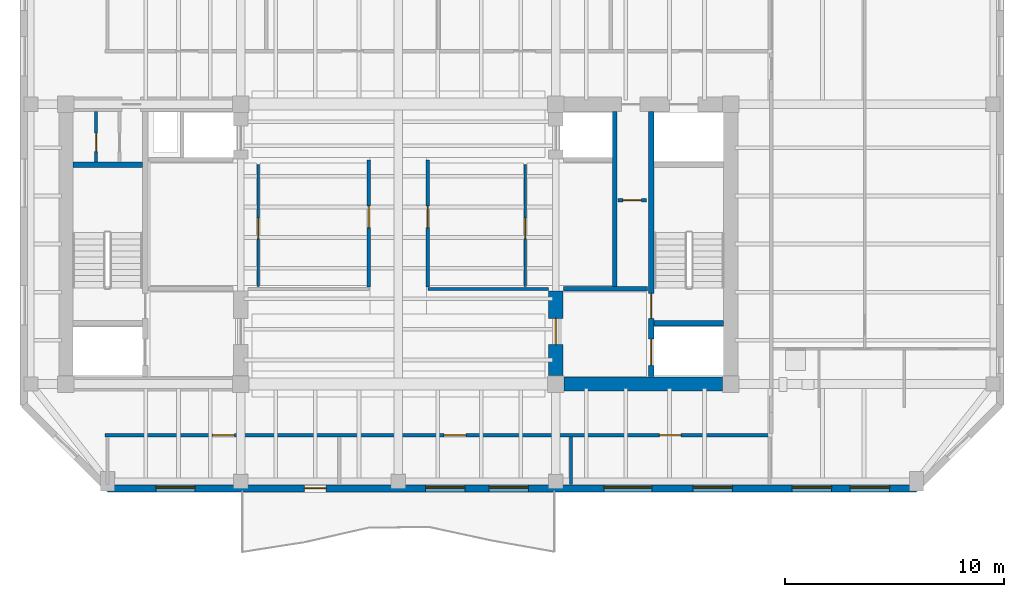
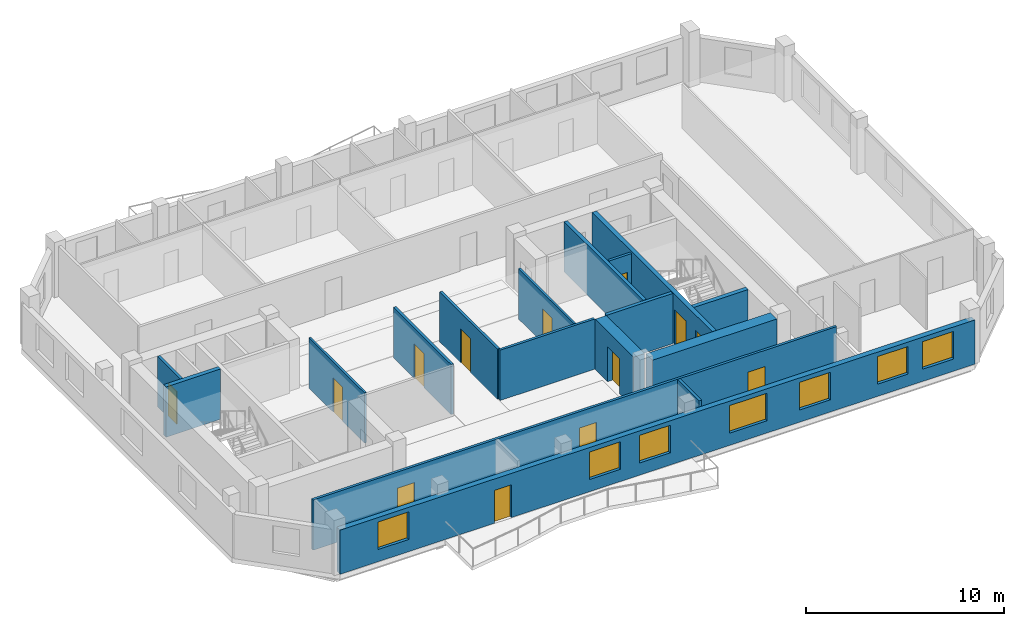
# One storey, part 3 of 9: 17 walls, 13 doors, 7 windows, 20 openings.
"""IFC4 building model written with IfcOpenShell, lengths in metres."""

from ifc_helpers import new_model, si_unit, direction, frame, frame_2d, origin, place, context, subcontext, project, spatial, rectangle, extrude, material, layer, layer_set, type_object, element, fill, save


model = new_model("IFC4")

# Units and contexts
model_context = context("Model", 3, precision=1e-05, world=origin(), true_north=direction((0.0, 1.0)))
body_context = subcontext(model_context, "Body", "Model", "MODEL_VIEW")
ifc_project = project(units=[si_unit("LENGTHUNIT", "METRE"), si_unit("AREAUNIT", "SQUARE_METRE"), si_unit("VOLUMEUNIT", "CUBIC_METRE"), si_unit("PLANEANGLEUNIT", "RADIAN"), si_unit("MASSUNIT", "GRAM", prefix="KILO")], contexts=[model_context])

# Site, building, storey
site_placement = place(None, origin())
site = spatial("IfcSite", under=ifc_project, at=site_placement, CompositionType="ELEMENT")
building_placement = place(site_placement, origin())
building = spatial("IfcBuilding", under=site, at=building_placement, Name="Kranthara Brick Stack", CompositionType="ELEMENT")
storey_placement = place(building_placement, frame((0.0, 0.0, 258.5)))
storey = spatial("IfcBuildingStorey", under=building, at=storey_placement, Name="L68", CompositionType="ELEMENT", Elevation=258.5)

# Wall, openings, door, windows
ifc_material_1 = material(Name="Warm buff clay brick masonry M15", Category="masonry")
ifc_layer_1 = layer(ifc_material_1, 0.320068359375)
ifc_layer_set_1 = layer_set([ifc_layer_1], Name="Warm buff clay brick masonry M15")
wall_type_1 = type_object("IfcWallType", Name="WL-BRK-UPPR-320", PredefinedType="STANDARD", material=ifc_layer_set_1)
wall_1_placement = place(storey_placement, frame((51.699951171875, 16.030029296875, 0.0), z_axis=(0.0, 0.0, 1.0), x_axis=(-1.0, 0.0, 0.0)))
wall_1 = element("IfcWall", 1, at=wall_1_placement, inside=storey, type_object=wall_type_1, Name="L68 Exterior Brick Facade Wall SOUTH 1", PredefinedType="STANDARD", context=body_context, shape_type="SweptSolid", body=[
    extrude(rectangle(XDim=37.0, YDim=0.320068359375, at=frame_2d((18.5, 0.0))), origin(), (0.0, 0.0, 1.0), 2.72509765625),
])
opening_1_placement = place(wall_1_placement, frame((27.0, 0.0, 0.0)))
opening_1 = element("IfcOpeningElement", 2, at=opening_1_placement, cuts=wall_1, Name="Opening D03", PredefinedType="OPENING", context=body_context, shape_type="SweptSolid", body=[
    extrude(rectangle(XDim=1.0, YDim=2.02001953125, at=frame_2d((0.5, 1.010009765625))), frame((0.0, 0.169921875, 0.0), z_axis=(0.0, -1.0, 0.0), x_axis=(1.0, 0.0, 0.0)), (0.0, 0.0, 1.0), 0.340087890625),
])
opening_2_placement = place(wall_1_placement, frame((1.235107421875, 0.0, 0.75)))
opening_2 = element("IfcOpeningElement", 3, at=opening_2_placement, cuts=wall_1, Name="Opening WN07", PredefinedType="OPENING", context=body_context, shape_type="SweptSolid", body=[
    extrude(rectangle(XDim=1.800048828125, YDim=1.699951171875, at=frame_2d((0.89990234375, 0.85009765625))), frame((0.0, 0.169921875, 0.0), z_axis=(0.0, -1.0, 0.0), x_axis=(1.0, 0.0, 0.0)), (0.0, 0.0, 1.0), 0.340087890625),
])
opening_3_placement = place(wall_1_placement, frame((3.885009765625, 0.0, 0.75)))
opening_3 = element("IfcOpeningElement", 4, at=opening_3_placement, cuts=wall_1, Name="Opening WN07", PredefinedType="OPENING", context=body_context, shape_type="SweptSolid", body=[
    extrude(rectangle(XDim=1.800048828125, YDim=1.699951171875, at=frame_2d((0.89990234375, 0.85009765625))), frame((0.0, 0.169921875, 0.0), z_axis=(0.0, -1.0, 0.0), x_axis=(1.0, 0.0, 0.0)), (0.0, 0.0, 1.0), 0.340087890625),
])
opening_4_placement = place(wall_1_placement, frame((8.422119140625, 0.0, 0.75)))
opening_4 = element("IfcOpeningElement", 5, at=opening_4_placement, cuts=wall_1, Name="Opening WN07", PredefinedType="OPENING", context=body_context, shape_type="SweptSolid", body=[
    extrude(rectangle(XDim=1.800048828125, YDim=1.699951171875, at=frame_2d((0.89990234375, 0.85009765625))), frame((0.0, 0.169921875, 0.0), z_axis=(0.0, -1.0, 0.0), x_axis=(1.0, 0.0, 0.0)), (0.0, 0.0, 1.0), 0.340087890625),
])
opening_5_placement = place(wall_1_placement, frame((12.10205078125, 0.0, 0.75)))
opening_5 = element("IfcOpeningElement", 6, at=opening_5_placement, cuts=wall_1, Name="Opening WN08", PredefinedType="OPENING", context=body_context, shape_type="SweptSolid", body=[
    extrude(rectangle(XDim=2.199951171875, YDim=1.699951171875, at=frame_2d((1.10009765625, 0.85009765625))), frame((0.0, 0.169921875, 0.0), z_axis=(0.0, -1.0, 0.0), x_axis=(1.0, 0.0, 0.0)), (0.0, 0.0, 1.0), 0.340087890625),
])
opening_6_placement = place(wall_1_placement, frame((17.748046875, 0.0, 0.75)))
opening_6 = element("IfcOpeningElement", 7, at=opening_6_placement, cuts=wall_1, Name="Opening WN07", PredefinedType="OPENING", context=body_context, shape_type="SweptSolid", body=[
    extrude(rectangle(XDim=1.800048828125, YDim=1.699951171875, at=frame_2d((0.89990234375, 0.85009765625))), frame((0.0, 0.169921875, 0.0), z_axis=(0.0, -1.0, 0.0), x_axis=(1.0, 0.0, 0.0)), (0.0, 0.0, 1.0), 0.340087890625),
])
opening_7_placement = place(wall_1_placement, frame((20.652099609375, 0.0, 0.75)))
opening_7 = element("IfcOpeningElement", 8, at=opening_7_placement, cuts=wall_1, Name="Opening WN07", PredefinedType="OPENING", context=body_context, shape_type="SweptSolid", body=[
    extrude(rectangle(XDim=1.800048828125, YDim=1.699951171875, at=frame_2d((0.89990234375, 0.85009765625))), frame((0.0, 0.169921875, 0.0), z_axis=(0.0, -1.0, 0.0), x_axis=(1.0, 0.0, 0.0)), (0.0, 0.0, 1.0), 0.340087890625),
])
opening_8_placement = place(wall_1_placement, frame((32.988037109375, 0.0, 0.75)))
opening_8 = element("IfcOpeningElement", 9, at=opening_8_placement, cuts=wall_1, Name="Opening WN07", PredefinedType="OPENING", context=body_context, shape_type="SweptSolid", body=[
    extrude(rectangle(XDim=1.800048828125, YDim=1.699951171875, at=frame_2d((0.89990234375, 0.85009765625))), frame((0.0, 0.169921875, 0.0), z_axis=(0.0, -1.0, 0.0), x_axis=(1.0, 0.0, 0.0)), (0.0, 0.0, 1.0), 0.340087890625),
])
ifc_material_2 = material(Name="Bronze anodised aluminium and laminated glass", Category="aluminium")
door_type_1 = type_object("IfcDoorType", Name="DR-BALC-1000", OperationType="NOTDEFINED", PredefinedType="DOOR", material=ifc_material_2)
door_1_placement = place(opening_1_placement, origin())
door_1 = element("IfcDoor", 10, at=door_1_placement, inside=storey, type_object=door_type_1, Name="L68 South Balcony Terrace Door", OperationType="SINGLE_SWING_LEFT", OverallHeight=2.02001953125, OverallWidth=1.0, PredefinedType="DOOR", context=body_context, shape_type="SweptSolid", body=[
    extrude(rectangle(XDim=1.0, YDim=2.02001953125, at=frame_2d((0.5, 1.010009765625))), frame((0.0, 0.02490234375, 0.0), z_axis=(0.0, -1.0, 0.0), x_axis=(1.0, 0.0, 0.0)), (0.0, 0.0, 1.0), 0.050048828125),
])
fill(opening_1, door_1)
ifc_material_3 = material(Name="Double-glazed low-E solar control glass", Category="glass")
window_type_1 = type_object("IfcWindowType", Name="WN-RES-1800x1850", PartitioningType="DOUBLE_PANEL_VERTICAL", PredefinedType="WINDOW", material=ifc_material_3)
window_1_placement = place(opening_2_placement, origin())
window_1 = element("IfcWindow", 11, at=window_1_placement, inside=storey, type_object=window_type_1, Name="L68 South Deep-Set Brick Window 01", OverallHeight=1.699951171875, OverallWidth=1.800048828125, PartitioningType="SINGLE_PANEL", PredefinedType="WINDOW", context=body_context, shape_type="SweptSolid", body=[
    extrude(rectangle(XDim=1.800048828125, YDim=1.699951171875, at=frame_2d((0.89990234375, 0.85009765625))), frame((0.0, -0.010009765625, 0.0), z_axis=(0.0, -1.0, 0.0), x_axis=(1.0, 0.0, 0.0)), (0.0, 0.0, 1.0), 0.06005859375),
])
fill(opening_2, window_1)
window_2_placement = place(opening_3_placement, origin())
window_2 = element("IfcWindow", 12, at=window_2_placement, inside=storey, type_object=window_type_1, Name="L68 South Deep-Set Brick Window 02", OverallHeight=1.699951171875, OverallWidth=1.800048828125, PartitioningType="SINGLE_PANEL", PredefinedType="WINDOW", context=body_context, shape_type="SweptSolid", body=[
    extrude(rectangle(XDim=1.800048828125, YDim=1.699951171875, at=frame_2d((0.89990234375, 0.85009765625))), frame((0.0, -0.010009765625, 0.0), z_axis=(0.0, -1.0, 0.0), x_axis=(1.0, 0.0, 0.0)), (0.0, 0.0, 1.0), 0.06005859375),
])
fill(opening_3, window_2)
window_3_placement = place(opening_4_placement, origin())
window_3 = element("IfcWindow", 13, at=window_3_placement, inside=storey, type_object=window_type_1, Name="L68 South Deep-Set Brick Window 03", OverallHeight=1.699951171875, OverallWidth=1.800048828125, PartitioningType="SINGLE_PANEL", PredefinedType="WINDOW", context=body_context, shape_type="SweptSolid", body=[
    extrude(rectangle(XDim=1.800048828125, YDim=1.699951171875, at=frame_2d((0.89990234375, 0.85009765625))), frame((0.0, -0.010009765625, 0.0), z_axis=(0.0, -1.0, 0.0), x_axis=(1.0, 0.0, 0.0)), (0.0, 0.0, 1.0), 0.06005859375),
])
fill(opening_4, window_3)
window_4_placement = place(opening_6_placement, origin())
window_4 = element("IfcWindow", 14, at=window_4_placement, inside=storey, type_object=window_type_1, Name="L68 South Deep-Set Brick Window 05", OverallHeight=1.699951171875, OverallWidth=1.800048828125, PartitioningType="SINGLE_PANEL", PredefinedType="WINDOW", context=body_context, shape_type="SweptSolid", body=[
    extrude(rectangle(XDim=1.800048828125, YDim=1.699951171875, at=frame_2d((0.89990234375, 0.85009765625))), frame((0.0, -0.010009765625, 0.0), z_axis=(0.0, -1.0, 0.0), x_axis=(1.0, 0.0, 0.0)), (0.0, 0.0, 1.0), 0.06005859375),
])
fill(opening_6, window_4)
window_5_placement = place(opening_7_placement, origin())
window_5 = element("IfcWindow", 15, at=window_5_placement, inside=storey, type_object=window_type_1, Name="L68 South Deep-Set Brick Window 06", OverallHeight=1.699951171875, OverallWidth=1.800048828125, PartitioningType="SINGLE_PANEL", PredefinedType="WINDOW", context=body_context, shape_type="SweptSolid", body=[
    extrude(rectangle(XDim=1.800048828125, YDim=1.699951171875, at=frame_2d((0.89990234375, 0.85009765625))), frame((0.0, -0.010009765625, 0.0), z_axis=(0.0, -1.0, 0.0), x_axis=(1.0, 0.0, 0.0)), (0.0, 0.0, 1.0), 0.06005859375),
])
fill(opening_7, window_5)
window_6_placement = place(opening_8_placement, origin())
window_6 = element("IfcWindow", 16, at=window_6_placement, inside=storey, type_object=window_type_1, Name="L68 South Deep-Set Brick Window 07", OverallHeight=1.699951171875, OverallWidth=1.800048828125, PartitioningType="SINGLE_PANEL", PredefinedType="WINDOW", context=body_context, shape_type="SweptSolid", body=[
    extrude(rectangle(XDim=1.800048828125, YDim=1.699951171875, at=frame_2d((0.89990234375, 0.85009765625))), frame((0.0, -0.010009765625, 0.0), z_axis=(0.0, -1.0, 0.0), x_axis=(1.0, 0.0, 0.0)), (0.0, 0.0, 1.0), 0.06005859375),
])
fill(opening_8, window_6)
ifc_material_4 = material(Name="Double-glazed low-E solar control glass", Category="glass")
window_type_2 = type_object("IfcWindowType", Name="WN-RES-2200x1850", PartitioningType="TRIPLE_PANEL_VERTICAL", PredefinedType="WINDOW", material=ifc_material_4)
window_7_placement = place(opening_5_placement, origin())
window_7 = element("IfcWindow", 17, at=window_7_placement, inside=storey, type_object=window_type_2, Name="L68 South Deep-Set Brick Window 04", OverallHeight=1.699951171875, OverallWidth=2.199951171875, PartitioningType="SINGLE_PANEL", PredefinedType="WINDOW", context=body_context, shape_type="SweptSolid", body=[
    extrude(rectangle(XDim=2.199951171875, YDim=1.699951171875, at=frame_2d((1.10009765625, 0.85009765625))), frame((0.0, -0.010009765625, 0.0), z_axis=(0.0, -1.0, 0.0), x_axis=(1.0, 0.0, 0.0)), (0.0, 0.0, 1.0), 0.06005859375),
])
fill(opening_5, window_7)

# Wall
ifc_material_5 = material(Name="Concrete C50/60", Category="concrete")
ifc_layer_2 = layer(ifc_material_5, 0.25)
ifc_layer_set_2 = layer_set([ifc_layer_2], Name="Concrete C50/60")
wall_type_2 = type_object("IfcWallType", Name="WL-CORE-250", PredefinedType="SHEAR", material=ifc_layer_set_2)
wall_2_placement = place(storey_placement, frame((13.135009765625, 30.830078125, 0.0), z_axis=(0.0, 0.0, 1.0), x_axis=(1.0, 0.0, 0.0)))
element("IfcWall", 18, at=wall_2_placement, inside=storey, type_object=wall_type_2, Name="L68 West Stairwell Bearing Wall WST", PredefinedType="SHEAR", context=body_context, shape_type="SweptSolid", body=[
    extrude(rectangle(XDim=3.175048828125, YDim=0.25, at=frame_2d((1.58740234375, 0.0))), origin(), (0.0, 0.0, 1.0), 3.10009765625),
])

# Wall, openings, doors
wall_3_placement = place(storey_placement, frame((39.56494140625, 21.135009765625, 0.0), z_axis=(0.0, 0.0, 1.0), x_axis=(0.0, 1.0, 0.0)))
wall_3 = element("IfcWall", 19, at=wall_3_placement, inside=storey, type_object=wall_type_2, Name="L68 East Core Stair Bearing Spine Wall", PredefinedType="SHEAR", context=body_context, shape_type="SweptSolid", body=[
    extrude(rectangle(XDim=12.1298828125, YDim=0.25, at=frame_2d((6.06494140625, 0.0))), origin(), (0.0, 0.0, 1.0), 3.10009765625),
])
opening_9_placement = place(wall_3_placement, frame((0.514892578125, 0.0, 0.0)))
opening_9 = element("IfcOpeningElement", 20, at=opening_9_placement, cuts=wall_3, Name="Opening LD01", PredefinedType="OPENING", context=body_context, shape_type="SweptSolid", body=[
    extrude(rectangle(XDim=1.199951171875, YDim=2.14990234375, at=frame_2d((0.60009765625, 1.074951171875))), frame((0.0, 0.135009765625, 0.0), z_axis=(0.0, -1.0, 0.0), x_axis=(1.0, 0.0, 0.0)), (0.0, 0.0, 1.0), 0.27001953125),
])
opening_10_placement = place(wall_3_placement, frame((2.6650390625, 0.0, 0.0)))
opening_10 = element("IfcOpeningElement", 21, at=opening_10_placement, cuts=wall_3, Name="Opening D05", PredefinedType="OPENING", context=body_context, shape_type="SweptSolid", body=[
    extrude(rectangle(XDim=1.14990234375, YDim=2.14990234375, at=frame_2d((0.574951171875, 1.074951171875))), frame((0.0, 0.135009765625, 0.0), z_axis=(0.0, -1.0, 0.0), x_axis=(1.0, 0.0, 0.0)), (0.0, 0.0, 1.0), 0.27001953125),
])
ifc_material_6 = material(Name="Stainless steel sliding landing door", Category="steel")
door_type_2 = type_object("IfcDoorType", Name="DR-LD-FF1200", OperationType="DOUBLE_DOOR_SLIDING", PredefinedType="DOOR", material=ifc_material_6)
door_2_placement = place(opening_9_placement, origin())
door_2 = element("IfcDoor", 22, at=door_2_placement, inside=storey, type_object=door_type_2, Name="L68 Firefighting Lift FF-02 Landing Door", OperationType="DOUBLE_DOOR_SLIDING", OverallHeight=2.14990234375, OverallWidth=1.199951171875, PredefinedType="DOOR", context=body_context, shape_type="SweptSolid", body=[
    extrude(rectangle(XDim=1.199951171875, YDim=2.14990234375, at=frame_2d((0.60009765625, 1.074951171875))), frame((0.0, 0.02490234375, 0.0), z_axis=(0.0, -1.0, 0.0), x_axis=(1.0, 0.0, 0.0)), (0.0, 0.0, 1.0), 0.050048828125),
])
fill(opening_9, door_2)
ifc_material_7 = material(Name="Solid-core hardwood timber leaf in steel frame", Category="steel")
door_type_3 = type_object("IfcDoorType", Name="DR-ST-1150", OperationType="NOTDEFINED", PredefinedType="DOOR", material=ifc_material_7)
door_3_placement = place(opening_10_placement, origin())
door_3 = element("IfcDoor", 23, at=door_3_placement, inside=storey, type_object=door_type_3, Name="L68 Exit Stair ST02 Door", OperationType="SINGLE_SWING_LEFT", OverallHeight=2.14990234375, OverallWidth=1.14990234375, PredefinedType="DOOR", context=body_context, shape_type="SweptSolid", body=[
    extrude(rectangle(XDim=1.14990234375, YDim=2.14990234375, at=frame_2d((0.574951171875, 1.074951171875))), frame((0.0, 0.02490234375, 0.0), z_axis=(0.0, -1.0, 0.0), x_axis=(1.0, 0.0, 0.0)), (0.0, 0.0, 1.0), 0.050048828125),
])
fill(opening_10, door_3)

# Walls
wall_4_placement = place(storey_placement, frame((39.68994140625, 23.570068359375, 0.0), z_axis=(0.0, 0.0, 1.0), x_axis=(1.0, 0.0, 0.0)))
element("IfcWall", 24, at=wall_4_placement, inside=storey, type_object=wall_type_2, Name="L68 East Stairwell Bearing Wall EFF", PredefinedType="SHEAR", context=body_context, shape_type="SweptSolid", body=[
    extrude(rectangle(XDim=3.175048828125, YDim=0.25, at=frame_2d((1.58740234375, 0.0))), origin(), (0.0, 0.0, 1.0), 3.10009765625),
])
ifc_material_8 = material(Name="Concrete C60/75", Category="concrete")
ifc_layer_3 = layer(ifc_material_8, 0.64990234375)
ifc_layer_set_3 = layer_set([ifc_layer_3], Name="Concrete C60/75")
wall_type_3 = type_object("IfcWallType", Name="WL-CORE-650", PredefinedType="SHEAR", material=ifc_layer_set_3)
wall_5_placement = place(storey_placement, frame((35.580078125, 20.800048828125, 0.0), z_axis=(0.0, 0.0, 1.0), x_axis=(1.0, 0.0, 0.0)))
element("IfcWall", 25, at=wall_5_placement, inside=storey, type_object=wall_type_3, Name="L68 East Core Shear Wall South", PredefinedType="SHEAR", context=body_context, shape_type="SweptSolid", body=[
    extrude(rectangle(XDim=7.239990234375, YDim=0.64990234375, at=frame_2d((3.6201171875, 0.0))), origin(), (0.0, 0.0, 1.0), 3.10009765625),
])

# Wall, opening, door
wall_6_placement = place(storey_placement, frame((35.199951171875, 21.179931640625, 0.0), z_axis=(0.0, 0.0, 1.0), x_axis=(0.0, 1.0, 0.0)))
wall_6 = element("IfcWall", 26, at=wall_6_placement, inside=storey, type_object=wall_type_3, Name="L68 East Core Lobby Shear Wall", PredefinedType="SHEAR", context=body_context, shape_type="SweptSolid", body=[
    extrude(rectangle(XDim=3.8701171875, YDim=0.64990234375, at=frame_2d((1.93505859375, 0.0))), origin(), (0.0, 0.0, 1.0), 3.10009765625),
])
opening_11_placement = place(wall_6_placement, frame((1.419921875, 0.0, 0.0)))
opening_11 = element("IfcOpeningElement", 27, at=opening_11_placement, cuts=wall_6, Name="Opening D06", PredefinedType="OPENING", context=body_context, shape_type="SweptSolid", body=[
    extrude(rectangle(XDim=1.199951171875, YDim=2.14990234375, at=frame_2d((0.60009765625, 1.074951171875))), frame((0.0, 0.3349609375, 0.0), z_axis=(0.0, -1.0, 0.0), x_axis=(1.0, 0.0, 0.0)), (0.0, 0.0, 1.0), 0.669921875),
])
ifc_material_9 = material(Name="Solid-core hardwood timber leaf in steel frame", Category="steel")
door_type_4 = type_object("IfcDoorType", Name="DR-FFL-1200", OperationType="NOTDEFINED", PredefinedType="DOOR", material=ifc_material_9)
door_4_placement = place(opening_11_placement, origin())
door_4 = element("IfcDoor", 28, at=door_4_placement, inside=storey, type_object=door_type_4, Name="L68 East Firefighting Lobby Door", OperationType="SINGLE_SWING_RIGHT", OverallHeight=2.14990234375, OverallWidth=1.199951171875, PredefinedType="DOOR", context=body_context, shape_type="SweptSolid", body=[
    extrude(rectangle(XDim=1.199951171875, YDim=2.14990234375, at=frame_2d((0.60009765625, 1.074951171875))), frame((0.0, 0.02490234375, 0.0), z_axis=(0.0, -1.0, 0.0), x_axis=(1.0, 0.0, 0.0)), (0.0, 0.0, 1.0), 0.050048828125),
])
fill(opening_11, door_4)

ifc_material_10 = material(Name="Acoustic gypsum plasterboard partition", Category="other")
ifc_layer_4 = layer(ifc_material_10, 0.1201171875)
ifc_layer_set_4 = layer_set([ifc_layer_4], Name="Acoustic gypsum plasterboard partition")
wall_type_4 = type_object("IfcWallType", Name="WL-PART-120", PredefinedType="PARTITIONING", material=ifc_layer_set_4)
wall_7_placement = place(storey_placement, frame((21.60009765625, 25.25, 0.0), z_axis=(0.0, 0.0, 1.0), x_axis=(0.0, 1.0, 0.0)))
wall_7 = element("IfcWall", 29, at=wall_7_placement, inside=storey, type_object=wall_type_4, Name="L68 Interior Partition 007", PredefinedType="PARTITIONING", context=body_context, shape_type="SweptSolid", body=[
    extrude(rectangle(XDim=5.60009765625, YDim=0.1201171875, at=frame_2d((2.800048828125, 0.0))), origin(), (0.0, 0.0, 1.0), 3.10009765625),
])
opening_12_placement = place(wall_7_placement, frame((2.199951171875, 0.0, 0.0)))
opening_12 = element("IfcOpeningElement", 30, at=opening_12_placement, cuts=wall_7, Name="Opening D14", PredefinedType="OPENING", context=body_context, shape_type="SweptSolid", body=[
    extrude(rectangle(XDim=0.949951171875, YDim=2.10009765625, at=frame_2d((0.47509765625, 1.050048828125))), frame((0.0, 0.070068359375, 0.0), z_axis=(0.0, -1.0, 0.0), x_axis=(1.0, 0.0, 0.0)), (0.0, 0.0, 1.0), 0.14013671875),
])
ifc_material_11 = material(Name="Solid-core hardwood timber leaf in steel frame", Category="steel")
door_type_5 = type_object("IfcDoorType", Name="DR-INT-950", OperationType="NOTDEFINED", PredefinedType="DOOR", material=ifc_material_11)
door_5_placement = place(opening_12_placement, origin())
door_5 = element("IfcDoor", 31, at=door_5_placement, inside=storey, type_object=door_type_5, Name="L68 Inner Archive Door 04", OperationType="SINGLE_SWING_RIGHT", OverallHeight=2.10009765625, OverallWidth=0.949951171875, PredefinedType="DOOR", context=body_context, shape_type="SweptSolid", body=[
    extrude(rectangle(XDim=0.949951171875, YDim=2.10009765625, at=frame_2d((0.47509765625, 1.050048828125))), frame((0.0, 0.02490234375, 0.0), z_axis=(0.0, -1.0, 0.0), x_axis=(1.0, 0.0, 0.0)), (0.0, 0.0, 1.0), 0.050048828125),
])
fill(opening_12, door_5)

wall_8_placement = place(storey_placement, frame((33.800048828125, 25.25, 0.0), z_axis=(0.0, 0.0, 1.0), x_axis=(0.0, 1.0, 0.0)))
wall_8 = element("IfcWall", 32, at=wall_8_placement, inside=storey, type_object=wall_type_4, Name="L68 Interior Partition 009", PredefinedType="PARTITIONING", context=body_context, shape_type="SweptSolid", body=[
    extrude(rectangle(XDim=5.60009765625, YDim=0.1201171875, at=frame_2d((2.800048828125, 0.0))), origin(), (0.0, 0.0, 1.0), 3.10009765625),
])
opening_13_placement = place(wall_8_placement, frame((2.199951171875, 0.0, 0.0)))
opening_13 = element("IfcOpeningElement", 33, at=opening_13_placement, cuts=wall_8, Name="Opening D14", PredefinedType="OPENING", context=body_context, shape_type="SweptSolid", body=[
    extrude(rectangle(XDim=0.949951171875, YDim=2.10009765625, at=frame_2d((0.47509765625, 1.050048828125))), frame((0.0, 0.070068359375, 0.0), z_axis=(0.0, -1.0, 0.0), x_axis=(1.0, 0.0, 0.0)), (0.0, 0.0, 1.0), 0.14013671875),
])
door_6_placement = place(opening_13_placement, origin())
door_6 = element("IfcDoor", 34, at=door_6_placement, inside=storey, type_object=door_type_5, Name="L68 Wine Tasting Door 06", OperationType="SINGLE_SWING_RIGHT", OverallHeight=2.10009765625, OverallWidth=0.949951171875, PredefinedType="DOOR", context=body_context, shape_type="SweptSolid", body=[
    extrude(rectangle(XDim=0.949951171875, YDim=2.10009765625, at=frame_2d((0.47509765625, 1.050048828125))), frame((0.0, 0.02490234375, 0.0), z_axis=(0.0, -1.0, 0.0), x_axis=(1.0, 0.0, 0.0)), (0.0, 0.0, 1.0), 0.050048828125),
])
fill(opening_13, door_6)

ifc_material_12 = material(Name="Fire-rated gypsum board partition", Category="other")
ifc_layer_5 = layer(ifc_material_12, 0.14990234375)
ifc_layer_set_5 = layer_set([ifc_layer_5], Name="Fire-rated gypsum board partition")
wall_type_5 = type_object("IfcWallType", Name="WL-PART-150", PredefinedType="PARTITIONING", material=ifc_layer_set_5)
wall_9_placement = place(storey_placement, frame((14.179931640625, 30.9599609375, 0.0), z_axis=(0.0, 0.0, 1.0), x_axis=(0.0, 1.0, 0.0)))
wall_9 = element("IfcWall", 35, at=wall_9_placement, inside=storey, type_object=wall_type_5, Name="L68 Interior Partition 001", PredefinedType="PARTITIONING", context=body_context, shape_type="SweptSolid", body=[
    extrude(rectangle(XDim=2.31005859375, YDim=0.14990234375, at=frame_2d((1.155029296875, 0.0))), origin(), (0.0, 0.0, 1.0), 3.10009765625),
])
opening_14_placement = place(wall_9_placement, frame((0.469970703125, 0.0, 0.0)))
opening_14 = element("IfcOpeningElement", 36, at=opening_14_placement, cuts=wall_9, Name="Opening D10", PredefinedType="OPENING", context=body_context, shape_type="SweptSolid", body=[
    extrude(rectangle(XDim=0.85009765625, YDim=2.02001953125, at=frame_2d((0.425048828125, 1.010009765625))), frame((0.0, 0.0849609375, 0.0), z_axis=(0.0, -1.0, 0.0), x_axis=(1.0, 0.0, 0.0)), (0.0, 0.0, 1.0), 0.169921875),
])
ifc_material_13 = material(Name="Solid-core hardwood timber leaf in steel frame", Category="steel")
door_type_6 = type_object("IfcDoorType", Name="DR-RSR-850", OperationType="NOTDEFINED", PredefinedType="DOOR", material=ifc_material_13)
door_7_placement = place(opening_14_placement, origin())
door_7 = element("IfcDoor", 37, at=door_7_placement, inside=storey, type_object=door_type_6, Name="L68 Riser Door A 01", OperationType="SINGLE_SWING_LEFT", OverallHeight=2.02001953125, OverallWidth=0.85009765625, PredefinedType="DOOR", context=body_context, shape_type="SweptSolid", body=[
    extrude(rectangle(XDim=0.85009765625, YDim=2.02001953125, at=frame_2d((0.425048828125, 1.010009765625))), frame((0.0, 0.02490234375, 0.0), z_axis=(0.0, -1.0, 0.0), x_axis=(1.0, 0.0, 0.0)), (0.0, 0.0, 1.0), 0.050048828125),
])
fill(opening_14, door_7)

wall_10_placement = place(storey_placement, frame((38.050048828125, 29.199951171875, 0.0), z_axis=(0.0, 0.0, 1.0), x_axis=(1.0, 0.0, 0.0)))
wall_10 = element("IfcWall", 38, at=wall_10_placement, inside=storey, type_object=wall_type_5, Name="L68 Interior Partition 003", PredefinedType="PARTITIONING", context=body_context, shape_type="SweptSolid", body=[
    extrude(rectangle(XDim=1.300048828125, YDim=0.14990234375, at=frame_2d((0.64990234375, 0.0))), origin(), (0.0, 0.0, 1.0), 3.10009765625),
])
opening_15_placement = place(wall_10_placement, frame((0.219970703125, 0.0, 0.0)))
opening_15 = element("IfcOpeningElement", 39, at=opening_15_placement, cuts=wall_10, Name="Opening D10", PredefinedType="OPENING", context=body_context, shape_type="SweptSolid", body=[
    extrude(rectangle(XDim=0.85009765625, YDim=2.02001953125, at=frame_2d((0.425048828125, 1.010009765625))), frame((0.0, 0.0849609375, 0.0), z_axis=(0.0, -1.0, 0.0), x_axis=(1.0, 0.0, 0.0)), (0.0, 0.0, 1.0), 0.169921875),
])
door_8_placement = place(opening_15_placement, origin())
door_8 = element("IfcDoor", 40, at=door_8_placement, inside=storey, type_object=door_type_6, Name="L68 East Service Door 03", OperationType="SINGLE_SWING_LEFT", OverallHeight=2.02001953125, OverallWidth=0.85009765625, PredefinedType="DOOR", context=body_context, shape_type="SweptSolid", body=[
    extrude(rectangle(XDim=0.85009765625, YDim=2.02001953125, at=frame_2d((0.425048828125, 1.010009765625))), frame((0.0, 0.02490234375, 0.0), z_axis=(0.0, -1.0, 0.0), x_axis=(1.0, 0.0, 0.0)), (0.0, 0.0, 1.0), 0.050048828125),
])
fill(opening_15, door_8)

# Wall
wall_11_placement = place(storey_placement, frame((29.35009765625, 25.14990234375, 0.0), z_axis=(0.0, 0.0, 1.0), x_axis=(1.0, 0.0, 0.0)))
element("IfcWall", 41, at=wall_11_placement, inside=storey, type_object=wall_type_5, Name="L68 Interior Partition 005", PredefinedType="PARTITIONING", context=body_context, shape_type="SweptSolid", body=[
    extrude(rectangle(XDim=5.52001953125, YDim=0.14990234375, at=frame_2d((2.760009765625, 0.0))), origin(), (0.0, 0.0, 1.0), 3.10009765625),
])

# Wall, opening, door
wall_12_placement = place(storey_placement, frame((26.64990234375, 25.22998046875, 0.0), z_axis=(0.0, 0.0, 1.0), x_axis=(0.0, 1.0, 0.0)))
wall_12 = element("IfcWall", 42, at=wall_12_placement, inside=storey, type_object=wall_type_5, Name="L68 Interior Partition 006", PredefinedType="PARTITIONING", context=body_context, shape_type="SweptSolid", body=[
    extrude(rectangle(XDim=5.820068359375, YDim=0.14990234375, at=frame_2d((2.91015625, 0.0))), origin(), (0.0, 0.0, 1.0), 3.10009765625),
])
opening_16_placement = place(wall_12_placement, frame((2.719970703125, 0.0, 0.0)))
opening_16 = element("IfcOpeningElement", 43, at=opening_16_placement, cuts=wall_12, Name="Opening D08", PredefinedType="OPENING", context=body_context, shape_type="SweptSolid", body=[
    extrude(rectangle(XDim=1.0, YDim=2.10009765625, at=frame_2d((0.5, 1.050048828125))), frame((0.0, 0.0849609375, 0.0), z_axis=(0.0, -1.0, 0.0), x_axis=(1.0, 0.0, 0.0)), (0.0, 0.0, 1.0), 0.169921875),
])
ifc_material_14 = material(Name="Solid-core hardwood timber leaf in steel frame", Category="steel")
door_type_7 = type_object("IfcDoorType", Name="DR-FD-1000", OperationType="NOTDEFINED", PredefinedType="DOOR", material=ifc_material_14)
door_9_placement = place(opening_16_placement, origin())
door_9 = element("IfcDoor", 44, at=door_9_placement, inside=storey, type_object=door_type_7, Name="L68 Residents Gallery 05", OperationType="SINGLE_SWING_LEFT", OverallHeight=2.10009765625, OverallWidth=1.0, PredefinedType="DOOR", context=body_context, shape_type="SweptSolid", body=[
    extrude(rectangle(XDim=1.0, YDim=2.10009765625, at=frame_2d((0.5, 1.050048828125))), frame((0.0, 0.02490234375, 0.0), z_axis=(0.0, -1.0, 0.0), x_axis=(1.0, 0.0, 0.0)), (0.0, 0.0, 1.0), 0.050048828125),
])
fill(opening_16, door_9)

wall_13_placement = place(storey_placement, frame((29.35009765625, 25.22998046875, 0.0), z_axis=(0.0, 0.0, 1.0), x_axis=(0.0, 1.0, 0.0)))
wall_13 = element("IfcWall", 45, at=wall_13_placement, inside=storey, type_object=wall_type_5, Name="L68 Interior Partition 008", PredefinedType="PARTITIONING", context=body_context, shape_type="SweptSolid", body=[
    extrude(rectangle(XDim=5.820068359375, YDim=0.14990234375, at=frame_2d((2.91015625, 0.0))), origin(), (0.0, 0.0, 1.0), 3.10009765625),
])
opening_17_placement = place(wall_13_placement, frame((2.719970703125, 0.0, 0.0)))
opening_17 = element("IfcOpeningElement", 46, at=opening_17_placement, cuts=wall_13, Name="Opening D08", PredefinedType="OPENING", context=body_context, shape_type="SweptSolid", body=[
    extrude(rectangle(XDim=1.0, YDim=2.10009765625, at=frame_2d((0.5, 1.050048828125))), frame((0.0, 0.0849609375, 0.0), z_axis=(0.0, -1.0, 0.0), x_axis=(1.0, 0.0, 0.0)), (0.0, 0.0, 1.0), 0.169921875),
])
door_10_placement = place(opening_17_placement, origin())
door_10 = element("IfcDoor", 47, at=door_10_placement, inside=storey, type_object=door_type_7, Name="L68 Sky Salon 07", OperationType="SINGLE_SWING_LEFT", OverallHeight=2.10009765625, OverallWidth=1.0, PredefinedType="DOOR", context=body_context, shape_type="SweptSolid", body=[
    extrude(rectangle(XDim=1.0, YDim=2.10009765625, at=frame_2d((0.5, 1.050048828125))), frame((0.0, 0.02490234375, 0.0), z_axis=(0.0, -1.0, 0.0), x_axis=(1.0, 0.0, 0.0)), (0.0, 0.0, 1.0), 0.050048828125),
])
fill(opening_17, door_10)

# Wall, openings, doors
wall_14_placement = place(storey_placement, frame((14.580078125, 18.4599609375, 0.0), z_axis=(0.0, 0.0, 1.0), x_axis=(1.0, 0.0, 0.0)))
wall_14 = element("IfcWall", 48, at=wall_14_placement, inside=storey, type_object=wall_type_5, Name="L68 Interior Partition 010", PredefinedType="PARTITIONING", context=body_context, shape_type="SweptSolid", body=[
    extrude(rectangle(XDim=30.52001953125, YDim=0.14990234375, at=frame_2d((15.260009765625, 0.0))), origin(), (0.0, 0.0, 1.0), 3.10009765625),
])
opening_18_placement = place(wall_14_placement, frame((4.9189453125, 0.0, 0.0)))
opening_18 = element("IfcOpeningElement", 49, at=opening_18_placement, cuts=wall_14, Name="Opening D08", PredefinedType="OPENING", context=body_context, shape_type="SweptSolid", body=[
    extrude(rectangle(XDim=1.0, YDim=2.10009765625, at=frame_2d((0.5, 1.050048828125))), frame((0.0, 0.0849609375, 0.0), z_axis=(0.0, -1.0, 0.0), x_axis=(1.0, 0.0, 0.0)), (0.0, 0.0, 1.0), 0.169921875),
])
opening_19_placement = place(wall_14_placement, frame((15.51708984375, 0.0, 0.0)))
opening_19 = element("IfcOpeningElement", 50, at=opening_19_placement, cuts=wall_14, Name="Opening D08", PredefinedType="OPENING", context=body_context, shape_type="SweptSolid", body=[
    extrude(rectangle(XDim=1.0, YDim=2.10009765625, at=frame_2d((0.5, 1.050048828125))), frame((0.0, 0.0849609375, 0.0), z_axis=(0.0, -1.0, 0.0), x_axis=(1.0, 0.0, 0.0)), (0.0, 0.0, 1.0), 0.169921875),
])
opening_20_placement = place(wall_14_placement, frame((25.35791015625, 0.0, 0.0)))
opening_20 = element("IfcOpeningElement", 51, at=opening_20_placement, cuts=wall_14, Name="Opening D08", PredefinedType="OPENING", context=body_context, shape_type="SweptSolid", body=[
    extrude(rectangle(XDim=1.0, YDim=2.10009765625, at=frame_2d((0.5, 1.050048828125))), frame((0.0, 0.0849609375, 0.0), z_axis=(0.0, -1.0, 0.0), x_axis=(1.0, 0.0, 0.0)), (0.0, 0.0, 1.0), 0.169921875),
])
door_11_placement = place(opening_18_placement, origin())
door_11 = element("IfcDoor", 52, at=door_11_placement, inside=storey, type_object=door_type_7, Name="L68 South Amenity Lounge 1 08", OperationType="SINGLE_SWING_RIGHT", OverallHeight=2.10009765625, OverallWidth=1.0, PredefinedType="DOOR", context=body_context, shape_type="SweptSolid", body=[
    extrude(rectangle(XDim=1.0, YDim=2.10009765625, at=frame_2d((0.5, 1.050048828125))), frame((0.0, 0.02490234375, 0.0), z_axis=(0.0, -1.0, 0.0), x_axis=(1.0, 0.0, 0.0)), (0.0, 0.0, 1.0), 0.050048828125),
])
fill(opening_18, door_11)
door_12_placement = place(opening_19_placement, origin())
door_12 = element("IfcDoor", 53, at=door_12_placement, inside=storey, type_object=door_type_7, Name="L68 South Amenity Lounge 2 09", OperationType="SINGLE_SWING_LEFT", OverallHeight=2.10009765625, OverallWidth=1.0, PredefinedType="DOOR", context=body_context, shape_type="SweptSolid", body=[
    extrude(rectangle(XDim=1.0, YDim=2.10009765625, at=frame_2d((0.5, 1.050048828125))), frame((0.0, 0.02490234375, 0.0), z_axis=(0.0, -1.0, 0.0), x_axis=(1.0, 0.0, 0.0)), (0.0, 0.0, 1.0), 0.050048828125),
])
fill(opening_19, door_12)
door_13_placement = place(opening_20_placement, origin())
door_13 = element("IfcDoor", 54, at=door_13_placement, inside=storey, type_object=door_type_7, Name="L68 South Amenity Lounge 3 10", OperationType="SINGLE_SWING_RIGHT", OverallHeight=2.10009765625, OverallWidth=1.0, PredefinedType="DOOR", context=body_context, shape_type="SweptSolid", body=[
    extrude(rectangle(XDim=1.0, YDim=2.10009765625, at=frame_2d((0.5, 1.050048828125))), frame((0.0, 0.02490234375, 0.0), z_axis=(0.0, -1.0, 0.0), x_axis=(1.0, 0.0, 0.0)), (0.0, 0.0, 1.0), 0.050048828125),
])
fill(opening_20, door_13)

# Walls
wall_15_placement = place(storey_placement, frame((35.89599609375, 16.195068359375, 0.0), z_axis=(0.0, 0.0, 1.0), x_axis=(0.0, 1.0, 0.0)))
element("IfcWall", 55, at=wall_15_placement, inside=storey, type_object=wall_type_5, Name="L68 Interior Partition 013", PredefinedType="PARTITIONING", context=body_context, shape_type="SweptSolid", body=[
    extrude(rectangle(XDim=2.184814453125, YDim=0.14990234375, at=frame_2d((1.09228515625, 0.0))), origin(), (0.0, 0.0, 1.0), 3.10009765625),
])
ifc_material_15 = material(Name="Concrete C40/50", Category="concrete")
ifc_layer_6 = layer(ifc_material_15, 0.199951171875)
ifc_layer_set_6 = layer_set([ifc_layer_6], Name="Concrete C40/50")
wall_type_6 = type_object("IfcWallType", Name="WL-PART-200", PredefinedType="SOLIDWALL", material=ifc_layer_set_6)
wall_16_placement = place(storey_placement, frame((35.550048828125, 25.14990234375, 0.0), z_axis=(0.0, 0.0, 1.0), x_axis=(1.0, 0.0, 0.0)))
element("IfcWall", 56, at=wall_16_placement, inside=storey, type_object=wall_type_6, Name="L68 East Core Cross Wall EFL", PredefinedType="SOLIDWALL", context=body_context, shape_type="SweptSolid", body=[
    extrude(rectangle(XDim=3.849853515625, YDim=0.199951171875, at=frame_2d((1.9248046875, 0.0))), origin(), (0.0, 0.0, 1.0), 3.10009765625),
])
wall_17_placement = place(storey_placement, frame((37.89990234375, 25.27001953125, 0.0), z_axis=(0.0, 0.0, 1.0), x_axis=(0.0, 1.0, 0.0)))
element("IfcWall", 57, at=wall_17_placement, inside=storey, type_object=wall_type_6, Name="L68 East Core Cross Wall ESV", PredefinedType="SOLIDWALL", context=body_context, shape_type="SweptSolid", body=[
    extrude(rectangle(XDim=7.994873046875, YDim=0.199951171875, at=frame_2d((3.99755859375, 0.0))), origin(), (0.0, 0.0, 1.0), 3.10009765625),
])

save(model, "model.ifc")
